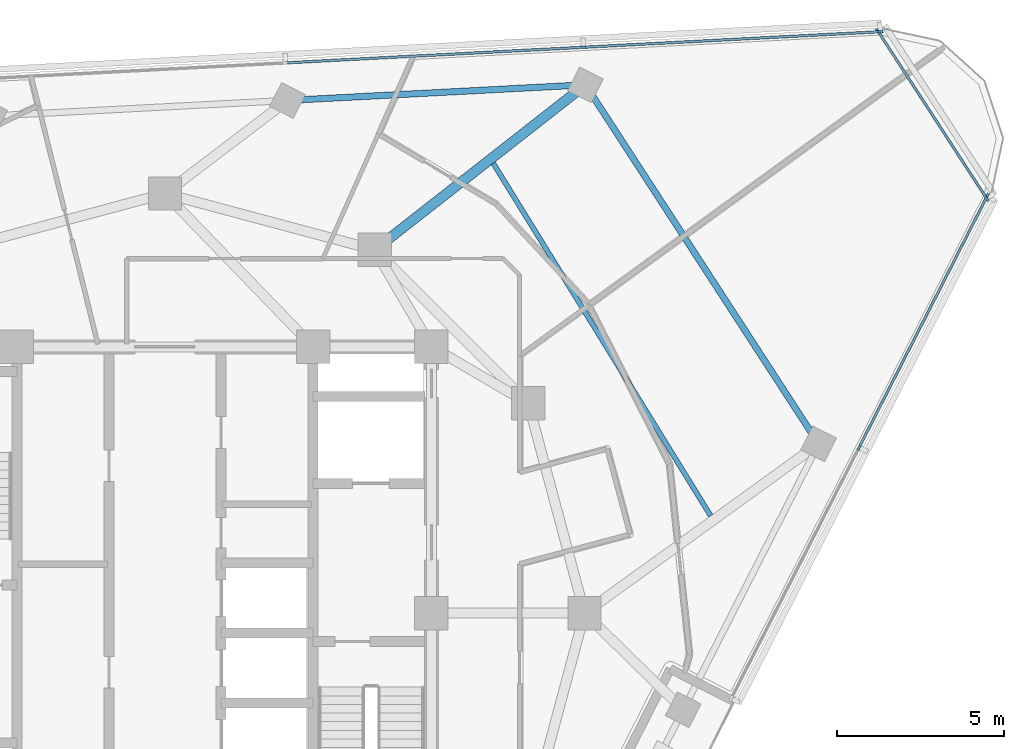
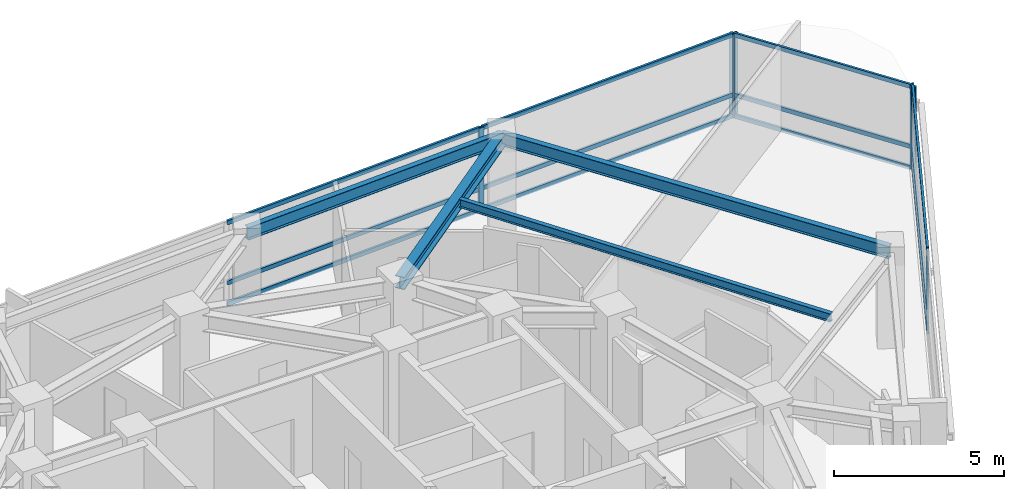
# One storey, part 6 of 15: 18 members, 4 beams, 3 elements without a shape of their own.
"""IFC4 building model written with IfcOpenShell, lengths in metres."""

import ifcopenshell
import ifcopenshell.guid

model = None  # the IFC model being written
_history = None  # IfcOwnerHistory: only IFC2X3 demands one
_inside = {}  # id of a spatial element -> (the spatial element, [elements in it])
_under = {}  # id of a project, library or spatial element -> (it, [spatial elements below it])
_declared = {}  # id of a project -> (the project, [libraries it declares])
_typed = {}  # id of a type object -> (the type object, [elements of that type])
_made_of = {}  # id of a material, layer set ... -> (it, [elements and type objects made of it])


def new_model(schema):
    """Start an empty IFC model of exactly this schema.

    Asked for "IFC4X3", IfcOpenShell would pick the latest addendum, in which some entities
    have other attributes; the version numbers below select the first issue.
    IFC2X3 requires an IfcOwnerHistory on every rooted entity: one is made here for all.
    """
    global model, _history
    if schema == "IFC4X3":
        model = ifcopenshell.file(schema_version=(4, 3, 0, 0))
    else:
        model = ifcopenshell.file(schema=schema)
    _inside.clear()
    _under.clear()
    _declared.clear()
    _typed.clear()
    _made_of.clear()
    _history = None
    if model.schema == "IFC2X3":
        org = make("IfcOrganization", Name="unknown")
        user = make(
            "IfcPersonAndOrganization",
            ThePerson=make("IfcPerson", FamilyName="unknown"),
            TheOrganization=org,
        )
        app = make(
            "IfcApplication",
            ApplicationDeveloper=org,
            Version="unknown",
            ApplicationFullName="unknown",
            ApplicationIdentifier="unknown",
        )
        _history = make(
            "IfcOwnerHistory",
            OwningUser=user,
            OwningApplication=app,
            ChangeAction="ADDED",
            CreationDate=0,
        )
    return model


def make(cls, **values):
    """One entity of the class cls with the attributes given. An attribute that is None is left unset."""
    return model.create_entity(
        cls, **{name: value for name, value in values.items() if value is not None}
    )


def rooted(cls, **values):
    """An entity with a GlobalId (a new one), such as an element, a storey or a relation."""
    return make(cls, GlobalId=ifcopenshell.guid.new(), OwnerHistory=_history, **values)


def si_unit(unit_type, name, prefix=None):
    """IfcSIUnit, for example si_unit("LENGTHUNIT", "METRE", prefix="MILLI")."""
    return make("IfcSIUnit", UnitType=unit_type, Prefix=prefix, Name=name)


def assignment(units):
    """IfcUnitAssignment: the units of a project."""
    return None if units is None else make("IfcUnitAssignment", Units=units)


def point(xyz):
    """IfcCartesianPoint."""
    return None if xyz is None else make("IfcCartesianPoint", Coordinates=xyz)


def direction(xyz):
    """IfcDirection."""
    return None if xyz is None else make("IfcDirection", DirectionRatios=xyz)


def frame(location, z_axis=None, x_axis=None):
    """IfcAxis2Placement3D, a coordinate frame: its origin and axes. An axis left out is left unset."""
    return make(
        "IfcAxis2Placement3D",
        Location=point(location),
        Axis=direction(z_axis),
        RefDirection=direction(x_axis),
    )


def frame_2d(location, x_axis=None):
    """IfcAxis2Placement2D, a coordinate frame in the plane: its origin and x axis."""
    return make(
        "IfcAxis2Placement2D", Location=point(location), RefDirection=direction(x_axis)
    )


def origin():
    """The frame at (0, 0, 0) with its axes left unset."""
    return frame((0.0, 0.0, 0.0))


def origin_2d():
    """The frame at (0, 0) in the plane with its x axis left unset."""
    return frame_2d((0.0, 0.0))


def place(relative_to, where):
    """IfcLocalPlacement: puts the frame where relative to a parent placement (None: the world)."""
    return make(
        "IfcLocalPlacement", PlacementRelTo=relative_to, RelativePlacement=where
    )


def context(
    kind, dimensions, precision=None, world=None, true_north=None, identifier=None
):
    """IfcGeometricRepresentationContext, for example the 3D "Model" context."""
    return make(
        "IfcGeometricRepresentationContext",
        ContextIdentifier=identifier,
        ContextType=kind,
        CoordinateSpaceDimension=dimensions,
        Precision=precision,
        WorldCoordinateSystem=world,
        TrueNorth=true_north,
    )


def subcontext(parent, identifier, kind, view, scale=None):
    """IfcGeometricRepresentationSubContext, for example "Body" below "Model"."""
    return make(
        "IfcGeometricRepresentationSubContext",
        ContextIdentifier=identifier,
        ContextType=kind,
        ParentContext=parent,
        TargetScale=scale,
        TargetView=view,
    )


def project(units=None, contexts=None):
    """IfcProject with its units and contexts."""
    return rooted(
        "IfcProject",
        Name="project",
        RepresentationContexts=contexts,
        UnitsInContext=assignment(units),
    )


def spatial(cls, under=None, at=None, **own):
    """A site, building, storey or space (cls), placed at a placement, below another one or the project."""
    s = rooted(cls, ObjectPlacement=at, **own)
    if under is not None:
        _under.setdefault(under.id(), (under, []))[1].append(s)
    return s


def profile(cls, at=None, kind="AREA", **sizes):
    """A parametric profile (cls). Its sizes go by their IFC names, for example OverallWidth=200.0."""
    return make(cls, ProfileType=kind, Position=at, **sizes)


def rectangle(**sizes):
    """IfcRectangleProfileDef."""
    return profile("IfcRectangleProfileDef", **sizes)


def i_section(**sizes):
    """IfcIShapeProfileDef."""
    return profile("IfcIShapeProfileDef", **sizes)


def extrude(swept, where, along, depth):
    """IfcExtrudedAreaSolid: the profile swept, set in the frame where, extruded along a direction by depth."""
    return make(
        "IfcExtrudedAreaSolid",
        SweptArea=swept,
        Position=where,
        ExtrudedDirection=direction(along),
        Depth=depth,
    )


def shape(context_of_items, identifier, shape_type, items):
    """IfcShapeRepresentation: the items that make up one representation, for example the "Body"."""
    return make(
        "IfcShapeRepresentation",
        ContextOfItems=context_of_items,
        RepresentationIdentifier=identifier,
        RepresentationType=shape_type,
        Items=items,
    )


def material(Name=None, Category=None):
    """IfcMaterial."""
    return make("IfcMaterial", Name=Name, Category=Category)


def layer(
    of_material, thickness, ventilated=None, Name=None, Category=None, Priority=None
):
    """IfcMaterialLayer: one layer of a wall or slab, of a material (None: an air gap)."""
    return make(
        "IfcMaterialLayer",
        Material=of_material,
        LayerThickness=thickness,
        IsVentilated=ventilated,
        Name=Name,
        Category=Category,
        Priority=Priority,
    )


def layer_set(layers, Name=None):
    """IfcMaterialLayerSet."""
    return make("IfcMaterialLayerSet", MaterialLayers=layers, LayerSetName=Name)


def material_profile(
    of_material, cross_section, Name=None, Category=None, Priority=None
):
    """IfcMaterialProfile: a cross section and its material."""
    return make(
        "IfcMaterialProfile",
        Name=Name,
        Material=of_material,
        Profile=cross_section,
        Priority=Priority,
        Category=Category,
    )


def profile_set(profiles, Name=None, composite=None):
    """IfcMaterialProfileSet."""
    return make(
        "IfcMaterialProfileSet",
        Name=Name,
        MaterialProfiles=profiles,
        CompositeProfile=composite,
    )


def made_of(thing, what):
    """Note that an element or type object is made of a material, layer set ...; save() writes the relation."""
    if what is not None:
        _made_of.setdefault(what.id(), (what, []))[1].append(thing)
    return thing


def type_object(cls, material=None, **own):
    """A type object (cls), such as IfcWallType, which elements share."""
    return made_of(rooted(cls, **own), material)


def element(
    cls,
    number,
    at=None,
    inside=None,
    cuts=None,
    type_object=None,
    material=None,
    context=None,
    identifier="Body",
    shape_type=None,
    held_by="IfcProductDefinitionShape",
    body=None,
    shapes=None,
    **own,
):
    """One element of the class cls, such as IfcWall. Its Tag is "e" and its number.

    at: its placement. inside: the storey or other place that contains it. cuts: it is an
    opening in that element (IfcRelVoidsElement). A single representation is given by context,
    identifier, shape_type and body (its items); several are given by shapes. held_by: the class
    of the entity that holds the representations. save() writes the other relations.
    """
    e = rooted(cls, Tag="e%d" % number, ObjectPlacement=at, **own)
    if body is not None:
        shapes = [shape(context, identifier, shape_type, body)]
    if shapes is not None:
        e.Representation = make(held_by, Representations=shapes)
    if inside is not None:
        _inside.setdefault(inside.id(), (inside, []))[1].append(e)
    if cuts is not None:
        rooted(
            "IfcRelVoidsElement", RelatingBuildingElement=cuts, RelatedOpeningElement=e
        )
    if type_object is not None:
        _typed.setdefault(type_object.id(), (type_object, []))[1].append(e)
    return made_of(e, material)


def aggregate(whole, parts):
    """IfcRelAggregates: a whole, such as a stair, and the parts it consists of."""
    return rooted("IfcRelAggregates", RelatingObject=whole, RelatedObjects=parts)


def save(model, path):
    """Write the relations noted so far, then the file.

    IfcRelAggregates (storeys below a building ...), IfcRelContainedInSpatialStructure (elements
    in a storey), IfcRelDefinesByType, IfcRelAssociatesMaterial and IfcRelDeclares: one each for
    every whole, place, type object, material and project.
    """
    for whole, parts in _under.values():
        aggregate(whole, parts)
    for where, things in _inside.values():
        rooted(
            "IfcRelContainedInSpatialStructure",
            RelatedElements=things,
            RelatingStructure=where,
        )
    for kind, things in _typed.values():
        rooted("IfcRelDefinesByType", RelatedObjects=things, RelatingType=kind)
    for what, things in _made_of.values():
        rooted("IfcRelAssociatesMaterial", RelatedObjects=things, RelatingMaterial=what)
    for by, libraries in _declared.values():
        rooted("IfcRelDeclares", RelatingContext=by, RelatedDefinitions=libraries)
    model.write(path)


model = new_model("IFC4")

# Units and contexts
model_context = context("Model", 3, precision=1e-05, world=origin(), true_north=direction((0.0, 1.0)))
body_context = subcontext(model_context, "Body", "Model", "MODEL_VIEW")
ifc_project = project(units=[si_unit("LENGTHUNIT", "METRE"), si_unit("AREAUNIT", "SQUARE_METRE"), si_unit("VOLUMEUNIT", "CUBIC_METRE"), si_unit("PLANEANGLEUNIT", "RADIAN"), si_unit("MASSUNIT", "GRAM", prefix="KILO")], contexts=[model_context])

# Site, building, storey
site_placement = place(None, origin())
site = spatial("IfcSite", under=ifc_project, at=site_placement, CompositionType="ELEMENT")
building_placement = place(site_placement, origin())
building = spatial("IfcBuilding", under=site, at=building_placement, Name="Terralouvre Media Tower", CompositionType="ELEMENT")
storey_placement = place(building_placement, frame((0.0, 0.0, 252.199951171875)))
storey = spatial("IfcBuildingStorey", under=building, at=storey_placement, Name="L65", CompositionType="ELEMENT", Elevation=252.199951171875)

# Beam
ifc_material_1 = material(Name="Structural steel S355J2", Category="steel")
ifc_material_profile_1 = material_profile(ifc_material_1, i_section(OverallWidth=0.14990234375, OverallDepth=0.300048828125, WebThickness=0.007080078125, FlangeThickness=0.0107421875, at=origin_2d()), Name="IPE 300")
ifc_profile_set_1 = profile_set([ifc_material_profile_1], Name="Structural steel S355J2")
beam_type_1 = type_object("IfcBeamType", Name="Composite Floor Joist J-IPE300 (IPE 300)", PredefinedType="JOIST", material=ifc_profile_set_1)
beam_1_placement = place(storey_placement, frame((16.387451171875, 2.9228515625, 3.35009765625), z_axis=(-0.524944877802, 0.851136226035, 0.0), x_axis=(-0.851136226035, -0.524944877802, 0.0)))
element("IfcBeam", 1, at=beam_1_placement, inside=storey, type_object=beam_type_1, Name="L65 Framing Beam JT-L65-03", PredefinedType="JOIST", context=body_context, shape_type="SweptSolid", body=[
    extrude(i_section(OverallWidth=0.14990234375, OverallDepth=0.300048828125, WebThickness=0.007080078125, FlangeThickness=0.0107421875, at=origin_2d()), origin(), (0.0, 0.0, 1.0), 12.43701171875),
])

# Curtain wall, members
ifc_material_2 = material(Name="Low-iron laminated double glazing with solar-control coating", Category="glass")
ifc_layer_1 = layer(ifc_material_2, 0.1650390625, Name="Upper Executive Tower Curtain Wall CW-05")
ifc_layer_set_1 = layer_set([ifc_layer_1], Name="Low-iron laminated double glazing with solar-control coating")
curtain_wall_type_1 = type_object("IfcCurtainWallType", Name="Upper Executive Tower Curtain Wall CW-05", PredefinedType="NOTDEFINED", material=ifc_layer_set_1)
curtain_wall_1_placement = place(storey_placement, origin())
curtain_wall_1 = element("IfcCurtainWall", 2, at=curtain_wall_1_placement, inside=storey, type_object=curtain_wall_type_1, Name="L65 Right Flank Curtain Wall F0", PredefinedType="NOTDEFINED")
ifc_material_3 = material(Name="Anodised extruded aluminium 6063-T6", Category="aluminium")
ifc_material_profile_2 = material_profile(ifc_material_3, rectangle(XDim=0.074951171875, YDim=0.14990234375, at=origin_2d()), Name="ALU 75x150")
ifc_profile_set_2 = profile_set([ifc_material_profile_2], Name="Anodised extruded aluminium 6063-T6")
member_type_1 = type_object("IfcMemberType", Name="Curtain-Wall Horizontal Transom TR-150", PredefinedType="USERDEFINED", material=ifc_profile_set_2)
member_1_placement = place(storey_placement, frame((20.862060546875, 5.0126953125, 0.03759765625), z_axis=(0.45400034384, 0.8910015083, 0.0), x_axis=(-0.8910015083, 0.45400034384, 0.0)))
member_1 = element("IfcMember", 3, at=member_1_placement, type_object=member_type_1, Name="CW-05 transom 2.1", ObjectType="TRANSOM", PredefinedType="USERDEFINED", context=body_context, shape_type="SweptSolid", body=[
    extrude(rectangle(XDim=0.074951171875, YDim=0.14990234375, at=origin_2d()), origin(), (0.0, 0.0, 1.0), 8.387451171875),
])
member_2_placement = place(storey_placement, frame((20.862060546875, 5.0126953125, 0.800048828125), z_axis=(0.45400034384, 0.8910015083, 0.0), x_axis=(-0.8910015083, 0.45400034384, 0.0)))
member_2 = element("IfcMember", 4, at=member_2_placement, type_object=member_type_1, Name="CW-05 transom 2.2", ObjectType="TRANSOM", PredefinedType="USERDEFINED", context=body_context, shape_type="SweptSolid", body=[
    extrude(rectangle(XDim=0.074951171875, YDim=0.14990234375, at=origin_2d()), origin(), (0.0, 0.0, 1.0), 8.387451171875),
])
member_3_placement = place(storey_placement, frame((20.862060546875, 5.0126953125, 2.962646484375), z_axis=(0.45400034384, 0.8910015083, 0.0), x_axis=(-0.8910015083, 0.45400034384, 0.0)))
member_3 = element("IfcMember", 5, at=member_3_placement, type_object=member_type_1, Name="CW-05 transom 2.3", ObjectType="TRANSOM", PredefinedType="USERDEFINED", context=body_context, shape_type="SweptSolid", body=[
    extrude(rectangle(XDim=0.074951171875, YDim=0.14990234375, at=origin_2d()), origin(), (0.0, 0.0, 1.0), 8.387451171875),
])

curtain_wall_2_placement = place(storey_placement, origin())
curtain_wall_2 = element("IfcCurtainWall", 6, at=curtain_wall_2_placement, inside=storey, type_object=curtain_wall_type_1, Name="L65 Facade Curtain Wall F1", PredefinedType="NOTDEFINED")
member_4_placement = place(storey_placement, frame((21.440673828125, 17.458740234375, 0.03759765625), z_axis=(-0.99862901196, -0.052345930801, 0.0), x_axis=(0.052345930801, -0.99862901196, 0.0)))
member_4 = element("IfcMember", 7, at=member_4_placement, type_object=member_type_1, Name="CW-05 transom 1.1", ObjectType="TRANSOM", PredefinedType="USERDEFINED", context=body_context, shape_type="SweptSolid", body=[
    extrude(rectangle(XDim=0.074951171875, YDim=0.14990234375, at=origin_2d()), origin(), (0.0, 0.0, 1.0), 8.84765625),
])
member_5_placement = place(storey_placement, frame((21.440673828125, 17.458740234375, 0.800048828125), z_axis=(-0.99862901196, -0.052345930801, 0.0), x_axis=(0.052345930801, -0.99862901196, 0.0)))
member_5 = element("IfcMember", 8, at=member_5_placement, type_object=member_type_1, Name="CW-05 transom 1.2", ObjectType="TRANSOM", PredefinedType="USERDEFINED", context=body_context, shape_type="SweptSolid", body=[
    extrude(rectangle(XDim=0.074951171875, YDim=0.14990234375, at=origin_2d()), origin(), (0.0, 0.0, 1.0), 8.84765625),
])
member_6_placement = place(storey_placement, frame((21.440673828125, 17.458740234375, 2.962646484375), z_axis=(-0.99862901196, -0.052345930801, 0.0), x_axis=(0.052345930801, -0.99862901196, 0.0)))
member_6 = element("IfcMember", 9, at=member_6_placement, type_object=member_type_1, Name="CW-05 transom 1.3", ObjectType="TRANSOM", PredefinedType="USERDEFINED", context=body_context, shape_type="SweptSolid", body=[
    extrude(rectangle(XDim=0.074951171875, YDim=0.14990234375, at=origin_2d()), origin(), (0.0, 0.0, 1.0), 8.84765625),
])
member_7_placement = place(storey_placement, frame((12.5302734375, 16.99169921875, 0.03759765625), z_axis=(-0.998629040577, -0.052345384869, 0.0), x_axis=(0.052345384869, -0.998629040577, 0.0)))
member_7 = element("IfcMember", 10, at=member_7_placement, type_object=member_type_1, Name="CW-05 transom 2.1", ObjectType="TRANSOM", PredefinedType="USERDEFINED", context=body_context, shape_type="SweptSolid", body=[
    extrude(rectangle(XDim=0.074951171875, YDim=0.14990234375, at=origin_2d()), origin(), (0.0, 0.0, 1.0), 8.885009765625),
])
member_8_placement = place(storey_placement, frame((12.5302734375, 16.99169921875, 0.800048828125), z_axis=(-0.998629040577, -0.052345384869, 0.0), x_axis=(0.052345384869, -0.998629040577, 0.0)))
member_8 = element("IfcMember", 11, at=member_8_placement, type_object=member_type_1, Name="CW-05 transom 2.2", ObjectType="TRANSOM", PredefinedType="USERDEFINED", context=body_context, shape_type="SweptSolid", body=[
    extrude(rectangle(XDim=0.074951171875, YDim=0.14990234375, at=origin_2d()), origin(), (0.0, 0.0, 1.0), 8.885009765625),
])
member_9_placement = place(storey_placement, frame((12.5302734375, 16.99169921875, 2.962646484375), z_axis=(-0.998629040577, -0.052345384869, 0.0), x_axis=(0.052345384869, -0.998629040577, 0.0)))
member_9 = element("IfcMember", 12, at=member_9_placement, type_object=member_type_1, Name="CW-05 transom 2.3", ObjectType="TRANSOM", PredefinedType="USERDEFINED", context=body_context, shape_type="SweptSolid", body=[
    extrude(rectangle(XDim=0.074951171875, YDim=0.14990234375, at=origin_2d()), origin(), (0.0, 0.0, 1.0), 8.885009765625),
])

ifc_material_4 = material(Name="Low-iron laminated double glazing with solar-control coating", Category="glass")
ifc_layer_2 = layer(ifc_material_4, 0.1650390625, Name="Rounded Wind-Corner Curved Glazing CW-04")
ifc_layer_set_2 = layer_set([ifc_layer_2], Name="Low-iron laminated double glazing with solar-control coating")
curtain_wall_type_2 = type_object("IfcCurtainWallType", Name="Rounded Wind-Corner Curved Glazing CW-04", PredefinedType="NOTDEFINED", material=ifc_layer_set_2)
curtain_wall_3_placement = place(storey_placement, origin())
curtain_wall_3 = element("IfcCurtainWall", 13, at=curtain_wall_3_placement, inside=storey, type_object=curtain_wall_type_2, Name="L65 Rounded Wind-Corner Curtain Wall C1", PredefinedType="NOTDEFINED")
member_10_placement = place(storey_placement, frame((24.65283203125, 12.48486328125, 0.03759765625), z_axis=(-0.544654480098, 0.838660537589, 0.0), x_axis=(-0.838660537589, -0.544654480098, 0.0)))
member_10 = element("IfcMember", 14, at=member_10_placement, type_object=member_type_1, Name="CW-04 transom 1.1", ObjectType="TRANSOM", PredefinedType="USERDEFINED", context=body_context, shape_type="SweptSolid", body=[
    extrude(rectangle(XDim=0.074951171875, YDim=0.14990234375, at=origin_2d()), origin(), (0.0, 0.0, 1.0), 5.912353515625),
])
member_11_placement = place(storey_placement, frame((24.65283203125, 12.48486328125, 0.800048828125), z_axis=(-0.544654480098, 0.838660537589, 0.0), x_axis=(-0.838660537589, -0.544654480098, 0.0)))
member_11 = element("IfcMember", 15, at=member_11_placement, type_object=member_type_1, Name="CW-04 transom 1.2", ObjectType="TRANSOM", PredefinedType="USERDEFINED", context=body_context, shape_type="SweptSolid", body=[
    extrude(rectangle(XDim=0.074951171875, YDim=0.14990234375, at=origin_2d()), origin(), (0.0, 0.0, 1.0), 5.912353515625),
])
member_12_placement = place(storey_placement, frame((24.65283203125, 12.48486328125, 2.962646484375), z_axis=(-0.544654480098, 0.838660537589, 0.0), x_axis=(-0.838660537589, -0.544654480098, 0.0)))
member_12 = element("IfcMember", 16, at=member_12_placement, type_object=member_type_1, Name="CW-04 transom 1.3", ObjectType="TRANSOM", PredefinedType="USERDEFINED", context=body_context, shape_type="SweptSolid", body=[
    extrude(rectangle(XDim=0.074951171875, YDim=0.14990234375, at=origin_2d()), origin(), (0.0, 0.0, 1.0), 5.912353515625),
])

# Member
ifc_material_5 = material(Name="Anodised extruded aluminium 6063-T6", Category="aluminium")
ifc_material_profile_3 = material_profile(ifc_material_5, rectangle(XDim=0.074951171875, YDim=0.179931640625, at=origin_2d()), Name="ALU 75x180")
ifc_profile_set_3 = profile_set([ifc_material_profile_3], Name="Anodised extruded aluminium 6063-T6")
member_type_2 = type_object("IfcMemberType", Name="Curtain-Wall Vertical Mullion ML-180", PredefinedType="MULLION", material=ifc_profile_set_3)
member_13_placement = place(storey_placement, frame((20.84521484375, 4.979248046875, 0.0), z_axis=(0.0, 0.0, 1.0), x_axis=(-0.891006118157, 0.453991296619, 0.0)))
member_13 = element("IfcMember", 17, at=member_13_placement, type_object=member_type_2, Name="CW-05 mullion 2", PredefinedType="MULLION", context=body_context, shape_type="SweptSolid", body=[
    extrude(rectangle(XDim=0.074951171875, YDim=0.179931640625, at=origin_2d()), origin(), (0.0, 0.0, 1.0), 3.0),
])

member_14_placement = place(storey_placement, frame((24.68701171875, 12.519287109375, 0.0), z_axis=(0.0, 0.0, 1.0), x_axis=(-0.891006118157, 0.453991296619, 0.0)))
member_14 = element("IfcMember", 18, at=member_14_placement, type_object=member_type_2, Name="CW-05 mullion 3", PredefinedType="MULLION", context=body_context, shape_type="SweptSolid", body=[
    extrude(rectangle(XDim=0.074951171875, YDim=0.179931640625, at=origin_2d()), origin(), (0.0, 0.0, 1.0), 3.0),
])

aggregate(curtain_wall_1, [member_13, member_14, member_1, member_2, member_3])

member_15_placement = place(storey_placement, frame((21.47802734375, 17.460693359375, 0.0), z_axis=(0.0, 0.0, 1.0), x_axis=(0.052336163844, -0.998629523875, 0.0)))
member_15 = element("IfcMember", 19, at=member_15_placement, type_object=member_type_2, Name="CW-05 mullion 1", PredefinedType="MULLION", context=body_context, shape_type="SweptSolid", body=[
    extrude(rectangle(XDim=0.074951171875, YDim=0.179931640625, at=origin_2d()), origin(), (0.0, 0.0, 1.0), 3.0),
])

member_16_placement = place(storey_placement, frame((12.56787109375, 16.99365234375, 0.0), z_axis=(0.0, 0.0, 1.0), x_axis=(0.052336163844, -0.998629523875, 0.0)))
member_16 = element("IfcMember", 20, at=member_16_placement, type_object=member_type_2, Name="CW-05 mullion 2", PredefinedType="MULLION", context=body_context, shape_type="SweptSolid", body=[
    extrude(rectangle(XDim=0.074951171875, YDim=0.179931640625, at=origin_2d()), origin(), (0.0, 0.0, 1.0), 3.0),
])

aggregate(curtain_wall_2, [member_15, member_16, member_4, member_5, member_6, member_7, member_8, member_9])

member_17_placement = place(storey_placement, frame((24.673095703125, 12.453369140625, 0.0), z_axis=(0.0, 0.0, 1.0), x_axis=(-0.838670462688, -0.544639197097, 0.0)))
member_17 = element("IfcMember", 21, at=member_17_placement, type_object=member_type_2, Name="CW-04 mullion 1", PredefinedType="MULLION", context=body_context, shape_type="SweptSolid", body=[
    extrude(rectangle(XDim=0.074951171875, YDim=0.179931640625, at=origin_2d()), origin(), (0.0, 0.0, 1.0), 3.0),
])

member_18_placement = place(storey_placement, frame((21.412353515625, 17.474853515625, 0.0), z_axis=(0.0, 0.0, 1.0), x_axis=(-0.838670462688, -0.544639197097, 0.0)))
member_18 = element("IfcMember", 22, at=member_18_placement, type_object=member_type_2, Name="CW-04 mullion 2", PredefinedType="MULLION", context=body_context, shape_type="SweptSolid", body=[
    extrude(rectangle(XDim=0.074951171875, YDim=0.179931640625, at=origin_2d()), origin(), (0.0, 0.0, 1.0), 3.0),
])

aggregate(curtain_wall_3, [member_17, member_18, member_10, member_11, member_12])

# Beams
ifc_material_6 = material(Name="Structural steel S355J2", Category="steel")
ifc_material_profile_4 = material_profile(ifc_material_6, i_section(OverallWidth=0.18994140625, OverallDepth=0.449951171875, WebThickness=0.009521484375, FlangeThickness=0.0146484375, at=origin_2d()), Name="IPE 450")
ifc_profile_set_4 = profile_set([ifc_material_profile_4], Name="Structural steel S355J2")
beam_type_2 = type_object("IfcBeamType", Name="Perimeter Spandrel Beam SPB-450 (IPE 450)", PredefinedType="SPANDREL", material=ifc_profile_set_4)
beam_2_placement = place(storey_placement, frame((19.62939453125, 5.082275390625, 3.275146484375), z_axis=(-0.544633890672, 0.838673908699, 0.0), x_axis=(-0.838673908699, -0.544633890672, 0.0)))
element("IfcBeam", 23, at=beam_2_placement, inside=storey, type_object=beam_type_2, Name="L65 Framing Beam BM-L65-PR07", PredefinedType="SPANDREL", context=body_context, shape_type="SweptSolid", body=[
    extrude(i_section(OverallWidth=0.18994140625, OverallDepth=0.449951171875, WebThickness=0.009521484375, FlangeThickness=0.0146484375, at=origin_2d()), origin(), (0.0, 0.0, 1.0), 12.857177734375),
])
beam_3_placement = place(storey_placement, frame((12.626953125, 15.865234375, 3.275146484375), z_axis=(-0.998629171747, -0.052342882372, 0.0), x_axis=(0.052342882372, -0.998629171747, 0.0)))
element("IfcBeam", 24, at=beam_3_placement, inside=storey, type_object=beam_type_2, Name="L65 Framing Beam BM-L65-PR08", PredefinedType="SPANDREL", context=body_context, shape_type="SweptSolid", body=[
    extrude(i_section(OverallWidth=0.18994140625, OverallDepth=0.449951171875, WebThickness=0.009521484375, FlangeThickness=0.0146484375, at=origin_2d()), origin(), (0.0, 0.0, 1.0), 8.9599609375),
])
ifc_material_7 = material(Name="Structural steel S355J2", Category="steel")
ifc_material_profile_5 = material_profile(ifc_material_7, i_section(OverallWidth=0.300048828125, OverallDepth=0.449951171875, WebThickness=0.013916015625, FlangeThickness=0.02587890625, at=origin_2d()), Name="HEB 450")
ifc_profile_set_5 = profile_set([ifc_material_profile_5], Name="Structural steel S355J2")
beam_type_3 = type_object("IfcBeamType", Name="Primary Floor Girder B-HEB450 (HEB 450)", PredefinedType="BEAM", material=ifc_profile_set_5)
beam_4_placement = place(storey_placement, frame((6.300048828125, 10.911865234375, 3.275146484375), z_axis=(0.787391503235, 0.616453259083, 0.0), x_axis=(-0.616453259083, 0.787391503235, 0.0)))
element("IfcBeam", 25, at=beam_4_placement, inside=storey, type_object=beam_type_3, Name="L65 Framing Beam BM-L65-RD08", PredefinedType="BEAM", context=body_context, shape_type="SweptSolid", body=[
    extrude(i_section(OverallWidth=0.300048828125, OverallDepth=0.449951171875, WebThickness=0.013916015625, FlangeThickness=0.02587890625, at=origin_2d()), origin(), (0.0, 0.0, 1.0), 8.03515625),
])

save(model, "model.ifc")
